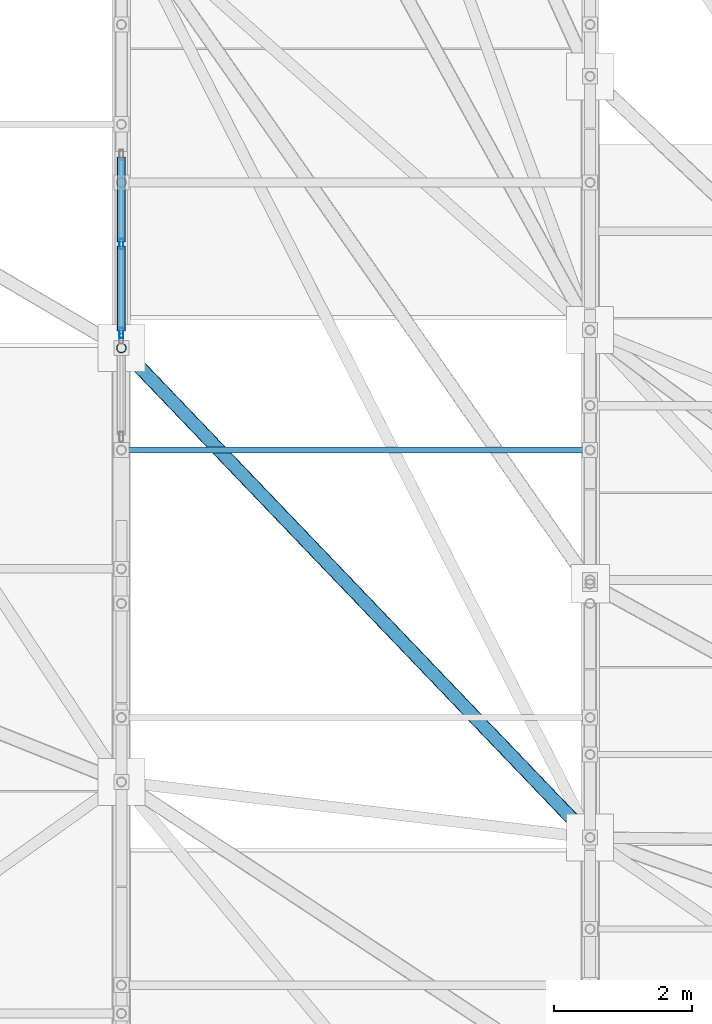
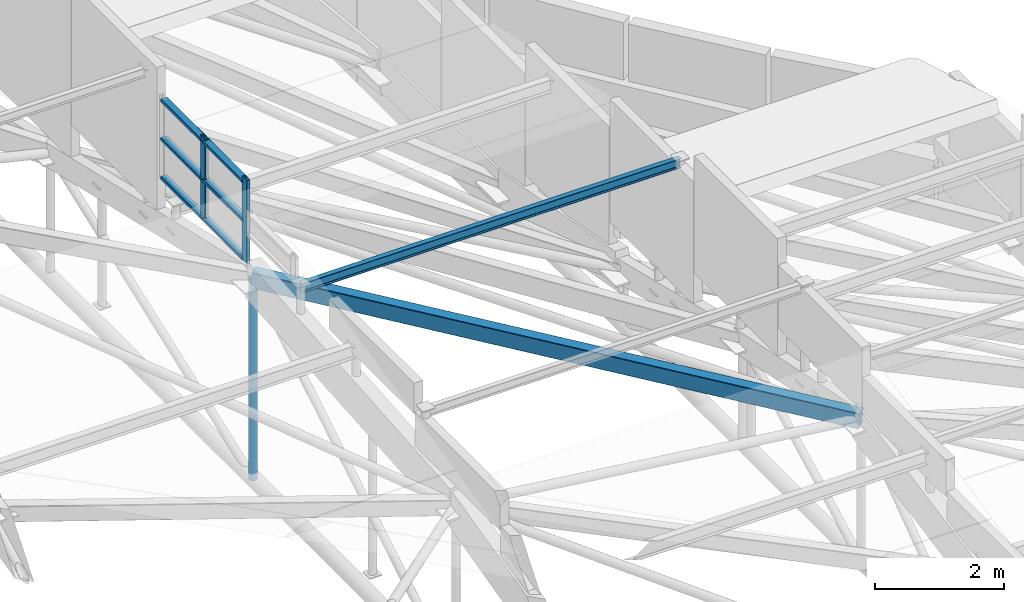
# One storey, part 20 of 188: 11 members, 1 element without a shape of its own.
"""IFC4 building model written with IfcOpenShell, lengths in metres."""

from ifc_helpers import new_model, si_unit, direction, frame, origin, origin_2d, place, context, subcontext, project, spatial, hollow_rectangle, hollow_circle, i_section, extrude, material, layer, layer_set, material_profile, profile_set, type_object, element, aggregate, save


model = new_model("IFC4")

# Units and contexts
model_context = context("Model", 3, precision=1e-05, world=origin(), true_north=direction((0.0, 1.0)))
body_context = subcontext(model_context, "Body", "Model", "MODEL_VIEW")
ifc_project = project(units=[si_unit("LENGTHUNIT", "METRE"), si_unit("AREAUNIT", "SQUARE_METRE"), si_unit("VOLUMEUNIT", "CUBIC_METRE"), si_unit("PLANEANGLEUNIT", "RADIAN"), si_unit("MASSUNIT", "GRAM", prefix="KILO")], contexts=[model_context])

# Site, building, storey
site_placement = place(None, origin())
site = spatial("IfcSite", under=ifc_project, at=site_placement, CompositionType="ELEMENT")
building_placement = place(site_placement, origin())
building = spatial("IfcBuilding", under=site, at=building_placement, Name="Kisaragi Civic Commons", CompositionType="ELEMENT")
storey_placement = place(building_placement, frame((0.0, 0.0, 9.60009765625)))
storey = spatial("IfcBuildingStorey", under=building, at=storey_placement, Name="L02", CompositionType="ELEMENT", Elevation=9.60009765625)

# Curtain wall, members
ifc_material_1 = material(Name="Thermally broken anodized aluminium and low-E double glazing", Category="aluminium")
ifc_layer = layer(ifc_material_1, 0.14990234375, Name="Thermally broken anodized aluminium and low-E double glazing", Category="aluminium")
ifc_layer_set = layer_set([ifc_layer], Name="Thermally broken anodized aluminium and low-E double glazing")
curtain_wall_type = type_object("IfcCurtainWallType", Name="CW-03", PredefinedType="NOTDEFINED", material=ifc_layer_set)
curtain_wall_placement = place(storey_placement, origin())
curtain_wall = element("IfcCurtainWall", 1, at=curtain_wall_placement, inside=storey, type_object=curtain_wall_type, Name="L02 curtain wall CW-03 CW-CL-V1-168", PredefinedType="NOTDEFINED")
ifc_material_profile_1 = material_profile(ifc_material_1, hollow_rectangle(XDim=0.06005859375, YDim=0.14990234375, WallThickness=0.00390625, InnerFilletRadius=0.00390625, OuterFilletRadius=0.008056640625, at=origin_2d()), Name="CWM-60x150x4", Category="aluminium")
ifc_profile_set_1 = profile_set([ifc_material_profile_1], Name="Thermally broken anodized aluminium and low-E double glazing")
member_type_1 = type_object("IfcMemberType", Name="CWM-01", PredefinedType="MULLION", material=ifc_profile_set_1)
member_1_placement = place(storey_placement, frame((27.199951171875, 20.72509765625, 3.515625), z_axis=(0.0, 0.0, 1.0), x_axis=(-1.0, 0.0, 0.0)))
member_1 = element("IfcMember", 2, at=member_1_placement, type_object=member_type_1, Name="CW-03 mullion 1", PredefinedType="MULLION", context=body_context, shape_type="SweptSolid", body=[
    extrude(hollow_rectangle(XDim=0.06005859375, YDim=0.14990234375, WallThickness=0.00390625, InnerFilletRadius=0.00390625, OuterFilletRadius=0.008056640625, at=origin_2d()), origin(), (0.0, 0.0, 1.0), 1.5888671875),
])
member_2_placement = place(storey_placement, frame((27.199951171875, 22.015380859375, 3.515625), z_axis=(0.0, 0.0, 1.0), x_axis=(-1.0, 0.0, 0.0)))
member_2 = element("IfcMember", 3, at=member_2_placement, type_object=member_type_1, Name="CW-03 mullion 2", PredefinedType="MULLION", context=body_context, shape_type="SweptSolid", body=[
    extrude(hollow_rectangle(XDim=0.06005859375, YDim=0.14990234375, WallThickness=0.00390625, InnerFilletRadius=0.00390625, OuterFilletRadius=0.008056640625, at=origin_2d()), origin(), (0.0, 0.0, 1.0), 1.5888671875),
])
ifc_material_profile_2 = material_profile(ifc_material_1, hollow_rectangle(XDim=0.1201171875, YDim=0.06005859375, WallThickness=0.00390625, InnerFilletRadius=0.00390625, OuterFilletRadius=0.008056640625, at=origin_2d()), Name="CWT-60x120x4", Category="aluminium")
ifc_profile_set_2 = profile_set([ifc_material_profile_2], Name="Thermally broken anodized aluminium and low-E double glazing")
member_type_2 = type_object("IfcMemberType", Name="CWT-01", PredefinedType="USERDEFINED", material=ifc_profile_set_2)
member_3_placement = place(storey_placement, frame((27.199951171875, 20.755126953125, 3.57568359375), z_axis=(0.0, 1.0, 0.0), x_axis=(-1.0, 0.0, 0.0)))
member_3 = element("IfcMember", 4, at=member_3_placement, type_object=member_type_2, Name="CW-03 transom 1.1", ObjectType="TRANSOM", PredefinedType="USERDEFINED", context=body_context, shape_type="SweptSolid", body=[
    extrude(hollow_rectangle(XDim=0.1201171875, YDim=0.06005859375, WallThickness=0.00390625, InnerFilletRadius=0.00390625, OuterFilletRadius=0.008056640625, at=origin_2d()), origin(), (0.0, 0.0, 1.0), 1.230224609375),
])
member_4_placement = place(storey_placement, frame((27.199951171875, 20.755126953125, 4.31005859375), z_axis=(0.0, 1.0, 0.0), x_axis=(-1.0, 0.0, 0.0)))
member_4 = element("IfcMember", 5, at=member_4_placement, type_object=member_type_2, Name="CW-03 transom 1.2", ObjectType="TRANSOM", PredefinedType="USERDEFINED", context=body_context, shape_type="SweptSolid", body=[
    extrude(hollow_rectangle(XDim=0.1201171875, YDim=0.06005859375, WallThickness=0.00390625, InnerFilletRadius=0.00390625, OuterFilletRadius=0.008056640625, at=origin_2d()), origin(), (0.0, 0.0, 1.0), 1.230224609375),
])
member_5_placement = place(storey_placement, frame((27.199951171875, 20.755126953125, 5.04443359375), z_axis=(0.0, 1.0, 0.0), x_axis=(-1.0, 0.0, 0.0)))
member_5 = element("IfcMember", 6, at=member_5_placement, type_object=member_type_2, Name="CW-03 transom 1.3", ObjectType="TRANSOM", PredefinedType="USERDEFINED", context=body_context, shape_type="SweptSolid", body=[
    extrude(hollow_rectangle(XDim=0.1201171875, YDim=0.06005859375, WallThickness=0.00390625, InnerFilletRadius=0.00390625, OuterFilletRadius=0.008056640625, at=origin_2d()), origin(), (0.0, 0.0, 1.0), 1.230224609375),
])
member_6_placement = place(storey_placement, frame((27.199951171875, 22.04541015625, 3.57568359375), z_axis=(0.0, 1.0, 0.0), x_axis=(-1.0, 0.0, 0.0)))
member_6 = element("IfcMember", 7, at=member_6_placement, type_object=member_type_2, Name="CW-03 transom 2.1", ObjectType="TRANSOM", PredefinedType="USERDEFINED", context=body_context, shape_type="SweptSolid", body=[
    extrude(hollow_rectangle(XDim=0.1201171875, YDim=0.06005859375, WallThickness=0.00390625, InnerFilletRadius=0.00390625, OuterFilletRadius=0.008056640625, at=origin_2d()), origin(), (0.0, 0.0, 1.0), 1.230224609375),
])
member_7_placement = place(storey_placement, frame((27.199951171875, 22.04541015625, 4.31005859375), z_axis=(0.0, 1.0, 0.0), x_axis=(-1.0, 0.0, 0.0)))
member_7 = element("IfcMember", 8, at=member_7_placement, type_object=member_type_2, Name="CW-03 transom 2.2", ObjectType="TRANSOM", PredefinedType="USERDEFINED", context=body_context, shape_type="SweptSolid", body=[
    extrude(hollow_rectangle(XDim=0.1201171875, YDim=0.06005859375, WallThickness=0.00390625, InnerFilletRadius=0.00390625, OuterFilletRadius=0.008056640625, at=origin_2d()), origin(), (0.0, 0.0, 1.0), 1.230224609375),
])
member_8_placement = place(storey_placement, frame((27.199951171875, 22.04541015625, 5.04443359375), z_axis=(0.0, 1.0, 0.0), x_axis=(-1.0, 0.0, 0.0)))
member_8 = element("IfcMember", 9, at=member_8_placement, type_object=member_type_2, Name="CW-03 transom 2.3", ObjectType="TRANSOM", PredefinedType="USERDEFINED", context=body_context, shape_type="SweptSolid", body=[
    extrude(hollow_rectangle(XDim=0.1201171875, YDim=0.06005859375, WallThickness=0.00390625, InnerFilletRadius=0.00390625, OuterFilletRadius=0.008056640625, at=origin_2d()), origin(), (0.0, 0.0, 1.0), 1.230224609375),
])
aggregate(curtain_wall, [member_1, member_2, member_3, member_4, member_5, member_6, member_7, member_8])

# Members
ifc_material_2 = material(Name="Steel SN490 (SN490B)", Category="steel")
ifc_material_profile_3 = material_profile(ifc_material_2, hollow_rectangle(XDim=0.199951171875, YDim=0.300048828125, WallThickness=0.009033203125, InnerFilletRadius=0.009033203125, OuterFilletRadius=0.01806640625, at=origin_2d()), Name="STKR-300x200x9", Category="steel")
ifc_profile_set_3 = profile_set([ifc_material_profile_3], Name="Steel SN490 (SN490B)")
member_type_3 = type_object("IfcMemberType", Name="GC-02", PredefinedType="CHORD", material=ifc_profile_set_3)
member_9_placement = place(storey_placement, frame((27.199951171875, 20.506103515625, 3.351806640625), z_axis=(0.689547964979, -0.720246255166, -0.075953511527), x_axis=(0.722332814683, 0.691545591289, 0.0)))
element("IfcMember", 10, at=member_9_placement, inside=storey, type_object=member_type_3, Name="V1 wave gridshell chord GC-02 31", PredefinedType="CHORD", context=body_context, shape_type="SweptSolid", body=[
    extrude(hollow_rectangle(XDim=0.199951171875, YDim=0.300048828125, WallThickness=0.009033203125, InnerFilletRadius=0.009033203125, OuterFilletRadius=0.01806640625, at=origin_2d()), origin(), (0.0, 0.0, 1.0), 9.861572265625),
])
ifc_material_3 = material(Name="Steel SN400 (SN400B)", Category="steel")
ifc_material_profile_4 = material_profile(ifc_material_3, i_section(OverallWidth=0.090087890625, OverallDepth=0.175048828125, WebThickness=0.0048828125, FlangeThickness=0.008056640625, FilletRadius=0.008056640625, at=origin_2d()), Name="H-175x90x5x8", Category="steel")
ifc_profile_set_4 = profile_set([ifc_material_profile_4], Name="Steel SN400 (SN400B)")
member_type_4 = type_object("IfcMemberType", Name="PR-03", PredefinedType="PURLIN", material=ifc_profile_set_4)
member_10_placement = place(storey_placement, frame((27.199951171875, 19.02587890625, 4.061279296875), z_axis=(1.0, 0.0, 0.0), x_axis=(0.0, 1.0, 0.0)))
element("IfcMember", 11, at=member_10_placement, inside=storey, type_object=member_type_4, Name="V1 wave vault steel purlin 37", PredefinedType="PURLIN", context=body_context, shape_type="SweptSolid", body=[
    extrude(i_section(OverallWidth=0.090087890625, OverallDepth=0.175048828125, WebThickness=0.0048828125, FlangeThickness=0.008056640625, FilletRadius=0.008056640625, at=origin_2d()), origin(), (0.0, 0.0, 1.0), 6.800048828125),
])
ifc_material_profile_5 = material_profile(ifc_material_2, hollow_circle(Radius=0.06982421875, WallThickness=0.006103515625, at=origin_2d()), Name="CHS-139.8x6.0", Category="steel")
ifc_profile_set_5 = profile_set([ifc_material_profile_5], Name="Steel SN490 (SN490B)")
member_type_5 = type_object("IfcMemberType", Name="ST-H1", PredefinedType="STRUT", material=ifc_profile_set_5)
member_11_placement = place(storey_placement, frame((27.199951171875, 20.506103515625, -0.458984375), z_axis=(0.0, 0.0, 1.0), x_axis=(1.0, 0.0, 0.0)))
element("IfcMember", 12, at=member_11_placement, inside=storey, type_object=member_type_5, Name="V1 arch tie hanger strut 58", PredefinedType="STRUT", context=body_context, shape_type="SweptSolid", body=[
    extrude(hollow_circle(Radius=0.06982421875, WallThickness=0.006103515625, at=origin_2d()), origin(), (0.0, 0.0, 1.0), 3.810791015625),
])

save(model, "model.ifc")
